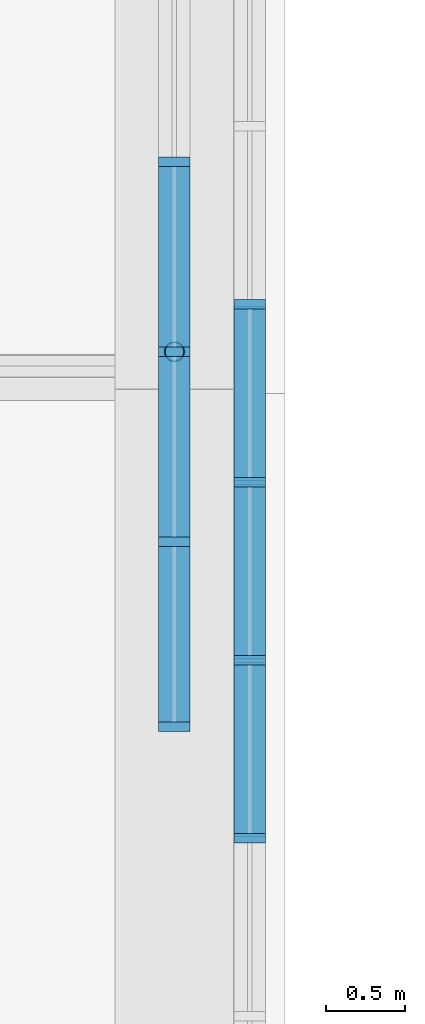
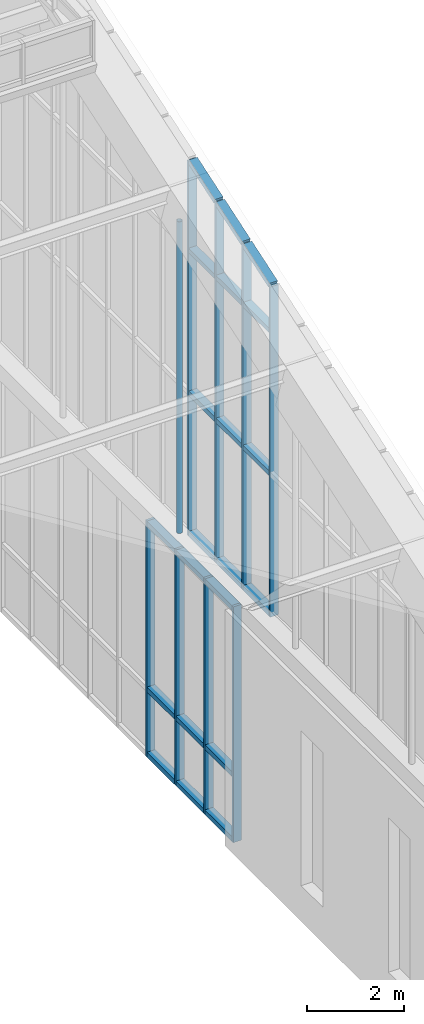
# One storey, part 94 of 149: 30 members, 2 elements without a shape of their own.
"""IFC4 building model written with IfcOpenShell, lengths in metres."""

from ifc_helpers import new_model, si_unit, direction, frame, origin, origin_2d, place, context, subcontext, project, spatial, rectangle, hollow_circle, extrude, material, material_profile, profile_set, type_object, element, aggregate, save


model = new_model("IFC4")

# Units and contexts
model_context = context("Model", 3, precision=1e-05, world=origin(), true_north=direction((0.0, 1.0)))
body_context = subcontext(model_context, "Body", "Model", "MODEL_VIEW")
ifc_project = project(units=[si_unit("LENGTHUNIT", "METRE"), si_unit("AREAUNIT", "SQUARE_METRE"), si_unit("VOLUMEUNIT", "CUBIC_METRE"), si_unit("PLANEANGLEUNIT", "RADIAN"), si_unit("MASSUNIT", "GRAM", prefix="KILO")], contexts=[model_context])

# Site, building, storey
site_placement = place(None, origin())
site = spatial("IfcSite", under=ifc_project, at=site_placement, CompositionType="ELEMENT")
building_placement = place(site_placement, origin())
building = spatial("IfcBuilding", under=site, at=building_placement, Name="Alderwick Market Hall", CompositionType="ELEMENT")
storey_placement = place(building_placement, frame((0.0, 0.0, 9.60009765625)))
storey = spatial("IfcBuildingStorey", under=building, at=storey_placement, Name="L01", CompositionType="ELEMENT", Elevation=9.60009765625)

# Curtain wall, members
ifc_material_1 = material(Name="Aluminium", Category="aluminium")
curtain_wall_type = type_object("IfcCurtainWallType", Name="R Curtain Wall Frame", PredefinedType="NOTDEFINED", material=ifc_material_1)
curtain_wall_1_placement = place(storey_placement, origin())
curtain_wall_1 = element("IfcCurtainWall", 1, at=curtain_wall_1_placement, inside=storey, type_object=curtain_wall_type, Name="Curtain wall GCW2", PredefinedType="NOTDEFINED")
ifc_material_profile_1 = material_profile(ifc_material_1, rectangle(XDim=0.199951171875, YDim=0.06005859375, at=origin_2d()), Name="AL 60x200")
ifc_profile_set_1 = profile_set([ifc_material_profile_1], Name="Aluminium")
member_type_1 = type_object("IfcMemberType", Name="R CW Mullion 60x200", PredefinedType="MULLION", material=ifc_profile_set_1)
member_1_placement = place(storey_placement, frame((151.199951171875, 72.030029296875, 0.0), z_axis=(0.0, 0.0, 1.0), x_axis=(1.0, 0.0, 0.0)))
member_1 = element("IfcMember", 2, at=member_1_placement, type_object=member_type_1, Name="GCW2 mullion 1", PredefinedType="MULLION", context=body_context, shape_type="SweptSolid", body=[
    extrude(rectangle(XDim=0.199951171875, YDim=0.06005859375, at=origin_2d()), origin(), (0.0, 0.0, 1.0), 5.94677734375),
])
member_2_placement = place(storey_placement, frame((151.199951171875, 73.199951171875, 0.0), z_axis=(0.0, 0.0, 1.0), x_axis=(1.0, 0.0, 0.0)))
member_2 = element("IfcMember", 3, at=member_2_placement, type_object=member_type_1, Name="GCW2 mullion 2", PredefinedType="MULLION", context=body_context, shape_type="SweptSolid", body=[
    extrude(rectangle(XDim=0.199951171875, YDim=0.06005859375, at=origin_2d()), origin(), (0.0, 0.0, 1.0), 5.94677734375),
])
member_3_placement = place(storey_placement, frame((151.199951171875, 74.39990234375, 0.0), z_axis=(0.0, 0.0, 1.0), x_axis=(1.0, 0.0, 0.0)))
member_3 = element("IfcMember", 4, at=member_3_placement, type_object=member_type_1, Name="GCW2 mullion 3", PredefinedType="MULLION", context=body_context, shape_type="SweptSolid", body=[
    extrude(rectangle(XDim=0.199951171875, YDim=0.06005859375, at=origin_2d()), origin(), (0.0, 0.0, 1.0), 5.94677734375),
])
member_4_placement = place(storey_placement, frame((151.199951171875, 75.60009765625, 0.0), z_axis=(0.0, 0.0, 1.0), x_axis=(1.0, 0.0, 0.0)))
member_4 = element("IfcMember", 5, at=member_4_placement, type_object=member_type_1, Name="GCW2 mullion 4", PredefinedType="MULLION", context=body_context, shape_type="SweptSolid", body=[
    extrude(rectangle(XDim=0.199951171875, YDim=0.06005859375, at=origin_2d()), origin(), (0.0, 0.0, 1.0), 5.94677734375),
])

curtain_wall_2_placement = place(storey_placement, origin())
curtain_wall_2 = element("IfcCurtainWall", 6, at=curtain_wall_2_placement, inside=storey, type_object=curtain_wall_type, Name="Curtain wall GCW3", PredefinedType="NOTDEFINED")
member_5_placement = place(storey_placement, frame((151.675048828125, 71.324951171875, 5.94677734375), z_axis=(0.0, 0.0, 1.0), x_axis=(1.0, 0.0, 0.0)))
member_5 = element("IfcMember", 7, at=member_5_placement, type_object=member_type_1, Name="GCW3 mullion 18", PredefinedType="MULLION", context=body_context, shape_type="SweptSolid", body=[
    extrude(rectangle(XDim=0.199951171875, YDim=0.06005859375, at=origin_2d()), origin(), (0.0, 0.0, 1.0), 8.325439453125),
])
member_6_placement = place(storey_placement, frame((151.675048828125, 72.449951171875, 5.94677734375), z_axis=(0.0, 0.0, 1.0), x_axis=(1.0, 0.0, 0.0)))
member_6 = element("IfcMember", 8, at=member_6_placement, type_object=member_type_1, Name="GCW3 mullion 19", PredefinedType="MULLION", context=body_context, shape_type="SweptSolid", body=[
    extrude(rectangle(XDim=0.199951171875, YDim=0.06005859375, at=origin_2d()), origin(), (0.0, 0.0, 1.0), 8.700439453125),
])
member_7_placement = place(storey_placement, frame((151.675048828125, 73.574951171875, 5.94677734375), z_axis=(0.0, 0.0, 1.0), x_axis=(1.0, 0.0, 0.0)))
member_7 = element("IfcMember", 9, at=member_7_placement, type_object=member_type_1, Name="GCW3 mullion 20", PredefinedType="MULLION", context=body_context, shape_type="SweptSolid", body=[
    extrude(rectangle(XDim=0.199951171875, YDim=0.06005859375, at=origin_2d()), origin(), (0.0, 0.0, 1.0), 9.075439453125),
])
member_8_placement = place(storey_placement, frame((151.675048828125, 74.699951171875, 5.94677734375), z_axis=(0.0, 0.0, 1.0), x_axis=(1.0, 0.0, 0.0)))
member_8 = element("IfcMember", 10, at=member_8_placement, type_object=member_type_1, Name="GCW3 mullion 21", PredefinedType="MULLION", context=body_context, shape_type="SweptSolid", body=[
    extrude(rectangle(XDim=0.199951171875, YDim=0.06005859375, at=origin_2d()), origin(), (0.0, 0.0, 1.0), 9.450439453125),
])

# Member
ifc_material_profile_2 = material_profile(ifc_material_1, rectangle(XDim=0.199951171875, YDim=0.1201171875, at=origin_2d()), Name="AL 120x200")
ifc_profile_set_2 = profile_set([ifc_material_profile_2], Name="Aluminium")
member_type_2 = type_object("IfcMemberType", Name="R CW Transom 120x200", PredefinedType="USERDEFINED", material=ifc_profile_set_2)
member_9_placement = place(storey_placement, frame((151.199951171875, 72.06005859375, 0.059814453125), z_axis=(0.0, 1.0, 0.0), x_axis=(-1.0, 0.0, 0.0)))
member_9 = element("IfcMember", 11, at=member_9_placement, type_object=member_type_2, Name="GCW2 sill transom 1", ObjectType="TRANSOM", PredefinedType="USERDEFINED", context=body_context, shape_type="SweptSolid", body=[
    extrude(rectangle(XDim=0.199951171875, YDim=0.1201171875, at=origin_2d()), origin(), (0.0, 0.0, 1.0), 1.10986328125),
])

member_10_placement = place(storey_placement, frame((151.199951171875, 72.06005859375, 1.699951171875), z_axis=(0.0, 1.0, 0.0), x_axis=(-1.0, 0.0, 0.0)))
member_10 = element("IfcMember", 12, at=member_10_placement, type_object=member_type_2, Name="GCW2 transom 1.1", ObjectType="TRANSOM", PredefinedType="USERDEFINED", context=body_context, shape_type="SweptSolid", body=[
    extrude(rectangle(XDim=0.199951171875, YDim=0.1201171875, at=origin_2d()), origin(), (0.0, 0.0, 1.0), 1.10986328125),
])

member_11_placement = place(storey_placement, frame((151.199951171875, 72.06005859375, 5.88671875), z_axis=(0.0, 1.0, 0.0), x_axis=(-1.0, 0.0, 0.0)))
member_11 = element("IfcMember", 13, at=member_11_placement, type_object=member_type_2, Name="GCW2 head transom 1", ObjectType="TRANSOM", PredefinedType="USERDEFINED", context=body_context, shape_type="SweptSolid", body=[
    extrude(rectangle(XDim=0.199951171875, YDim=0.1201171875, at=origin_2d()), origin(), (0.0, 0.0, 1.0), 1.10986328125),
])

member_12_placement = place(storey_placement, frame((151.199951171875, 73.22998046875, 0.059814453125), z_axis=(0.0, 1.0, 0.0), x_axis=(-1.0, 0.0, 0.0)))
member_12 = element("IfcMember", 14, at=member_12_placement, type_object=member_type_2, Name="GCW2 sill transom 2", ObjectType="TRANSOM", PredefinedType="USERDEFINED", context=body_context, shape_type="SweptSolid", body=[
    extrude(rectangle(XDim=0.199951171875, YDim=0.1201171875, at=origin_2d()), origin(), (0.0, 0.0, 1.0), 1.14013671875),
])

member_13_placement = place(storey_placement, frame((151.199951171875, 73.22998046875, 1.699951171875), z_axis=(0.0, 1.0, 0.0), x_axis=(-1.0, 0.0, 0.0)))
member_13 = element("IfcMember", 15, at=member_13_placement, type_object=member_type_2, Name="GCW2 transom 2.1", ObjectType="TRANSOM", PredefinedType="USERDEFINED", context=body_context, shape_type="SweptSolid", body=[
    extrude(rectangle(XDim=0.199951171875, YDim=0.1201171875, at=origin_2d()), origin(), (0.0, 0.0, 1.0), 1.14013671875),
])

member_14_placement = place(storey_placement, frame((151.199951171875, 73.22998046875, 5.88671875), z_axis=(0.0, 1.0, 0.0), x_axis=(-1.0, 0.0, 0.0)))
member_14 = element("IfcMember", 16, at=member_14_placement, type_object=member_type_2, Name="GCW2 head transom 2", ObjectType="TRANSOM", PredefinedType="USERDEFINED", context=body_context, shape_type="SweptSolid", body=[
    extrude(rectangle(XDim=0.199951171875, YDim=0.1201171875, at=origin_2d()), origin(), (0.0, 0.0, 1.0), 1.14013671875),
])

member_15_placement = place(storey_placement, frame((151.199951171875, 74.429931640625, 0.059814453125), z_axis=(0.0, 1.0, 0.0), x_axis=(-1.0, 0.0, 0.0)))
member_15 = element("IfcMember", 17, at=member_15_placement, type_object=member_type_2, Name="GCW2 sill transom 3", ObjectType="TRANSOM", PredefinedType="USERDEFINED", context=body_context, shape_type="SweptSolid", body=[
    extrude(rectangle(XDim=0.199951171875, YDim=0.1201171875, at=origin_2d()), origin(), (0.0, 0.0, 1.0), 1.14013671875),
])

member_16_placement = place(storey_placement, frame((151.199951171875, 74.429931640625, 1.699951171875), z_axis=(0.0, 1.0, 0.0), x_axis=(-1.0, 0.0, 0.0)))
member_16 = element("IfcMember", 18, at=member_16_placement, type_object=member_type_2, Name="GCW2 transom 3.1", ObjectType="TRANSOM", PredefinedType="USERDEFINED", context=body_context, shape_type="SweptSolid", body=[
    extrude(rectangle(XDim=0.199951171875, YDim=0.1201171875, at=origin_2d()), origin(), (0.0, 0.0, 1.0), 1.14013671875),
])

member_17_placement = place(storey_placement, frame((151.199951171875, 74.429931640625, 5.88671875), z_axis=(0.0, 1.0, 0.0), x_axis=(-1.0, 0.0, 0.0)))
member_17 = element("IfcMember", 19, at=member_17_placement, type_object=member_type_2, Name="GCW2 head transom 3", ObjectType="TRANSOM", PredefinedType="USERDEFINED", context=body_context, shape_type="SweptSolid", body=[
    extrude(rectangle(XDim=0.199951171875, YDim=0.1201171875, at=origin_2d()), origin(), (0.0, 0.0, 1.0), 1.14013671875),
])

aggregate(curtain_wall_1, [member_1, member_2, member_3, member_4, member_9, member_10, member_11, member_12, member_13, member_14, member_15, member_16, member_17])

member_18_placement = place(storey_placement, frame((151.675048828125, 71.35498046875, 6.006591796875), z_axis=(0.0, 1.0, 0.0), x_axis=(-1.0, 0.0, 0.0)))
member_18 = element("IfcMember", 20, at=member_18_placement, type_object=member_type_2, Name="GCW3 sill transom 18", ObjectType="TRANSOM", PredefinedType="USERDEFINED", context=body_context, shape_type="SweptSolid", body=[
    extrude(rectangle(XDim=0.199951171875, YDim=0.1201171875, at=origin_2d()), origin(), (0.0, 0.0, 1.0), 1.06494140625),
])

member_19_placement = place(storey_placement, frame((151.675048828125, 71.35498046875, 9.546630859375), z_axis=(0.0, 1.0, 0.0), x_axis=(-1.0, 0.0, 0.0)))
member_19 = element("IfcMember", 21, at=member_19_placement, type_object=member_type_2, Name="GCW3 transom 18.1", ObjectType="TRANSOM", PredefinedType="USERDEFINED", context=body_context, shape_type="SweptSolid", body=[
    extrude(rectangle(XDim=0.199951171875, YDim=0.1201171875, at=origin_2d()), origin(), (0.0, 0.0, 1.0), 1.06494140625),
])

member_20_placement = place(storey_placement, frame((151.675048828125, 71.35498046875, 13.146728515625), z_axis=(0.0, 1.0, 0.0), x_axis=(-1.0, 0.0, 0.0)))
member_20 = element("IfcMember", 22, at=member_20_placement, type_object=member_type_2, Name="GCW3 transom 18.2", ObjectType="TRANSOM", PredefinedType="USERDEFINED", context=body_context, shape_type="SweptSolid", body=[
    extrude(rectangle(XDim=0.199951171875, YDim=0.1201171875, at=origin_2d()), origin(), (0.0, 0.0, 1.0), 1.06494140625),
])

member_21_placement = place(storey_placement, frame((151.675048828125, 71.35498046875, 14.2822265625), z_axis=(0.0, 0.948683298051, 0.316227766017), x_axis=(-1.0, 0.0, 0.0)))
member_21 = element("IfcMember", 23, at=member_21_placement, type_object=member_type_2, Name="GCW3 arch cap 18", ObjectType="TRANSOM", PredefinedType="USERDEFINED", context=body_context, shape_type="SweptSolid", body=[
    extrude(rectangle(XDim=0.199951171875, YDim=0.1201171875, at=origin_2d()), origin(), (0.0, 0.0, 1.0), 1.12255859375),
])

member_22_placement = place(storey_placement, frame((151.675048828125, 72.47998046875, 6.006591796875), z_axis=(0.0, 1.0, 0.0), x_axis=(-1.0, 0.0, 0.0)))
member_22 = element("IfcMember", 24, at=member_22_placement, type_object=member_type_2, Name="GCW3 sill transom 19", ObjectType="TRANSOM", PredefinedType="USERDEFINED", context=body_context, shape_type="SweptSolid", body=[
    extrude(rectangle(XDim=0.199951171875, YDim=0.1201171875, at=origin_2d()), origin(), (0.0, 0.0, 1.0), 1.06494140625),
])

member_23_placement = place(storey_placement, frame((151.675048828125, 72.47998046875, 9.546630859375), z_axis=(0.0, 1.0, 0.0), x_axis=(-1.0, 0.0, 0.0)))
member_23 = element("IfcMember", 25, at=member_23_placement, type_object=member_type_2, Name="GCW3 transom 19.1", ObjectType="TRANSOM", PredefinedType="USERDEFINED", context=body_context, shape_type="SweptSolid", body=[
    extrude(rectangle(XDim=0.199951171875, YDim=0.1201171875, at=origin_2d()), origin(), (0.0, 0.0, 1.0), 1.06494140625),
])

member_24_placement = place(storey_placement, frame((151.675048828125, 72.47998046875, 13.146728515625), z_axis=(0.0, 1.0, 0.0), x_axis=(-1.0, 0.0, 0.0)))
member_24 = element("IfcMember", 26, at=member_24_placement, type_object=member_type_2, Name="GCW3 transom 19.2", ObjectType="TRANSOM", PredefinedType="USERDEFINED", context=body_context, shape_type="SweptSolid", body=[
    extrude(rectangle(XDim=0.199951171875, YDim=0.1201171875, at=origin_2d()), origin(), (0.0, 0.0, 1.0), 1.06494140625),
])

member_25_placement = place(storey_placement, frame((151.675048828125, 72.47998046875, 14.6572265625), z_axis=(0.0, 0.948683298051, 0.316227766017), x_axis=(-1.0, 0.0, 0.0)))
member_25 = element("IfcMember", 27, at=member_25_placement, type_object=member_type_2, Name="GCW3 arch cap 19", ObjectType="TRANSOM", PredefinedType="USERDEFINED", context=body_context, shape_type="SweptSolid", body=[
    extrude(rectangle(XDim=0.199951171875, YDim=0.1201171875, at=origin_2d()), origin(), (0.0, 0.0, 1.0), 1.12255859375),
])

member_26_placement = place(storey_placement, frame((151.675048828125, 73.60498046875, 6.006591796875), z_axis=(0.0, 1.0, 0.0), x_axis=(-1.0, 0.0, 0.0)))
member_26 = element("IfcMember", 28, at=member_26_placement, type_object=member_type_2, Name="GCW3 sill transom 20", ObjectType="TRANSOM", PredefinedType="USERDEFINED", context=body_context, shape_type="SweptSolid", body=[
    extrude(rectangle(XDim=0.199951171875, YDim=0.1201171875, at=origin_2d()), origin(), (0.0, 0.0, 1.0), 1.06494140625),
])

member_27_placement = place(storey_placement, frame((151.675048828125, 73.60498046875, 9.546630859375), z_axis=(0.0, 1.0, 0.0), x_axis=(-1.0, 0.0, 0.0)))
member_27 = element("IfcMember", 29, at=member_27_placement, type_object=member_type_2, Name="GCW3 transom 20.1", ObjectType="TRANSOM", PredefinedType="USERDEFINED", context=body_context, shape_type="SweptSolid", body=[
    extrude(rectangle(XDim=0.199951171875, YDim=0.1201171875, at=origin_2d()), origin(), (0.0, 0.0, 1.0), 1.06494140625),
])

member_28_placement = place(storey_placement, frame((151.675048828125, 73.60498046875, 13.146728515625), z_axis=(0.0, 1.0, 0.0), x_axis=(-1.0, 0.0, 0.0)))
member_28 = element("IfcMember", 30, at=member_28_placement, type_object=member_type_2, Name="GCW3 transom 20.2", ObjectType="TRANSOM", PredefinedType="USERDEFINED", context=body_context, shape_type="SweptSolid", body=[
    extrude(rectangle(XDim=0.199951171875, YDim=0.1201171875, at=origin_2d()), origin(), (0.0, 0.0, 1.0), 1.06494140625),
])

member_29_placement = place(storey_placement, frame((151.675048828125, 73.60498046875, 15.0322265625), z_axis=(0.0, 0.948683298051, 0.316227766017), x_axis=(-1.0, 0.0, 0.0)))
member_29 = element("IfcMember", 31, at=member_29_placement, type_object=member_type_2, Name="GCW3 arch cap 20", ObjectType="TRANSOM", PredefinedType="USERDEFINED", context=body_context, shape_type="SweptSolid", body=[
    extrude(rectangle(XDim=0.199951171875, YDim=0.1201171875, at=origin_2d()), origin(), (0.0, 0.0, 1.0), 1.12255859375),
])

aggregate(curtain_wall_2, [member_5, member_6, member_7, member_8, member_18, member_19, member_20, member_21, member_22, member_23, member_24, member_25, member_26, member_27, member_28, member_29])

ifc_material_2 = material(Name="Steel ASTM A500 Grade C", Category="steel")
ifc_material_profile_3 = material_profile(ifc_material_2, hollow_circle(Radius=0.0634765625, WallThickness=0.005859375, at=origin_2d()), Name="HSS5.000x0.250")
ifc_profile_set_3 = profile_set([ifc_material_profile_3], Name="Steel ASTM A500 Grade C")
member_type_3 = type_object("IfcMemberType", Name="R Hanger HSS5.000x0.250", PredefinedType="POST", material=ifc_profile_set_3)
member_30_placement = place(storey_placement, frame((151.199951171875, 74.39990234375, 6.35302734375), z_axis=(0.0, 0.0, 1.0), x_axis=(1.0, 0.0, 0.0)))
element("IfcMember", 32, at=member_30_placement, inside=storey, type_object=member_type_3, Name="Arch hanger 8.5", PredefinedType="POST", context=body_context, shape_type="SweptSolid", body=[
    extrude(hollow_circle(Radius=0.0634765625, WallThickness=0.005859375, at=origin_2d()), origin(), (0.0, 0.0, 1.0), 7.856689453125),
])

save(model, "model.ifc")
